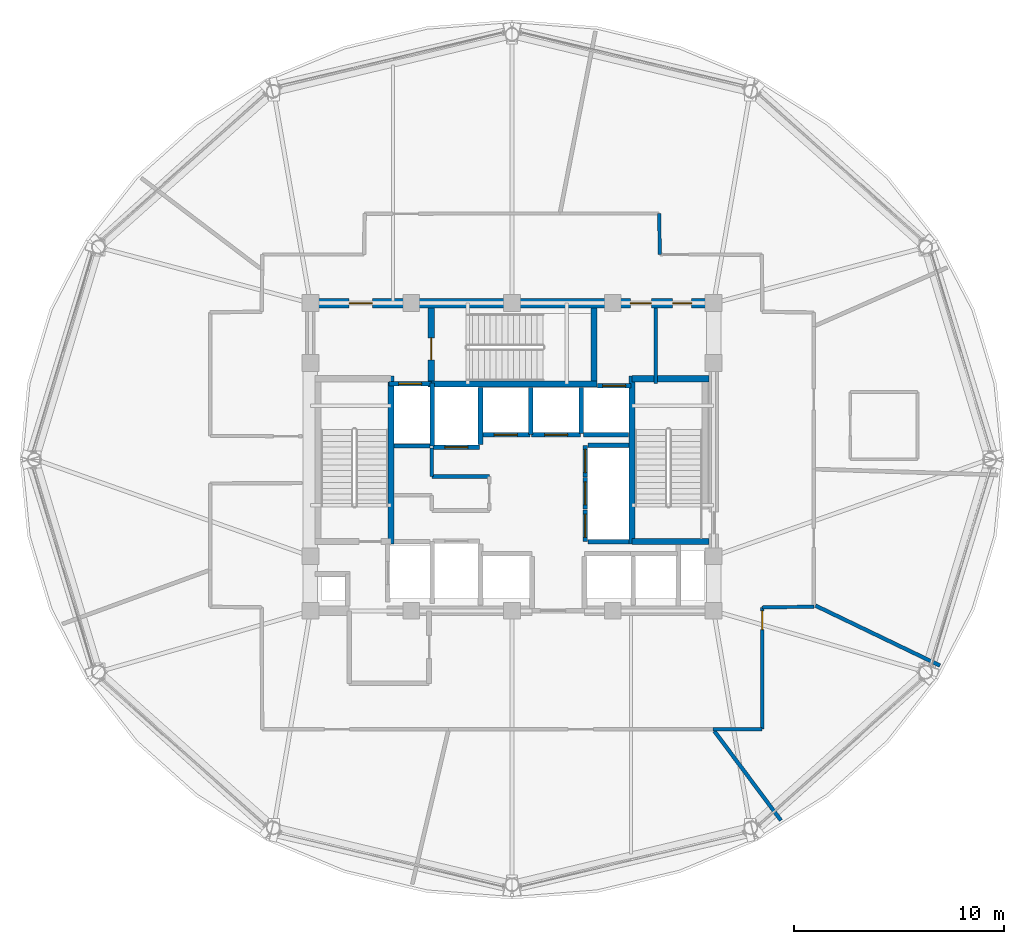
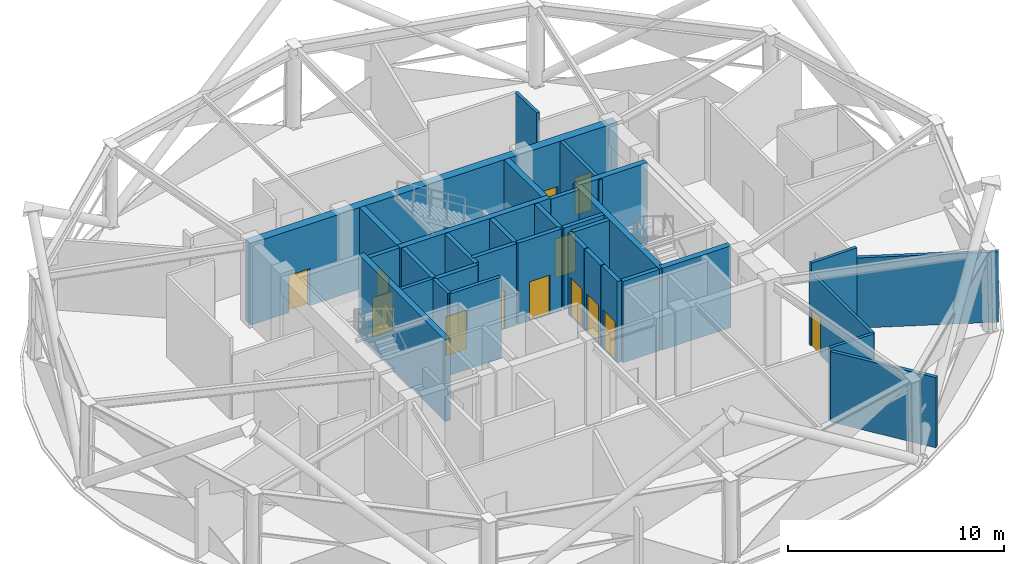
# One storey, part 11 of 16: 33 walls, 13 doors, 13 openings.
"""IFC4 building model written with IfcOpenShell, lengths in metres."""

from ifc_helpers import new_model, si_unit, direction, frame, frame_2d, origin, place, context, subcontext, project, spatial, rectangle, extrude, material, layer, layer_set, type_object, element, fill, save


model = new_model("IFC4")

# Units and contexts
model_context = context("Model", 3, precision=1e-05, world=origin(), true_north=direction((0.0, 1.0)))
body_context = subcontext(model_context, "Body", "Model", "MODEL_VIEW")
ifc_project = project(units=[si_unit("LENGTHUNIT", "METRE"), si_unit("AREAUNIT", "SQUARE_METRE"), si_unit("VOLUMEUNIT", "CUBIC_METRE"), si_unit("PLANEANGLEUNIT", "RADIAN"), si_unit("MASSUNIT", "GRAM", prefix="KILO")], contexts=[model_context])

# Site, building, storey
site_placement = place(None, origin())
site = spatial("IfcSite", under=ifc_project, at=site_placement, CompositionType="ELEMENT")
building_placement = place(site_placement, origin())
building = spatial("IfcBuilding", under=site, at=building_placement, Name="Vantalir Tower", CompositionType="ELEMENT")
storey_placement = place(building_placement, frame((0.0, 0.0, 181.35009765625)))
storey = spatial("IfcBuildingStorey", under=building, at=storey_placement, Name="L45", CompositionType="ELEMENT", Elevation=181.35009765625)

# Wall, openings, doors
ifc_material_1 = material(Name="Concrete C50/60", Category="concrete")
ifc_layer_1 = layer(ifc_material_1, 0.449951171875)
ifc_layer_set_1 = layer_set([ifc_layer_1], Name="Concrete C50/60")
wall_type_1 = type_object("IfcWallType", Name="WL-CORE-450", PredefinedType="SHEAR", material=ifc_layer_set_1)
wall_1_placement = place(storey_placement, frame((21.675048828125, 32.449951171875, 0.0), z_axis=(0.0, 0.0, 1.0), x_axis=(1.0, 0.0, 0.0)))
wall_1 = element("IfcWall", 1, at=wall_1_placement, inside=storey, type_object=wall_type_1, Name="L45 Core Shear Wall North", PredefinedType="SHEAR", context=body_context, shape_type="SweptSolid", body=[
    extrude(rectangle(XDim=19.64990234375, YDim=0.449951171875, at=frame_2d((9.824951171875, 0.0))), origin(), (0.0, 0.0, 1.0), 4.619873046875),
])
opening_1_placement = place(wall_1_placement, frame((2.074951171875, 0.0, 0.0)))
opening_1 = element("IfcOpeningElement", 2, at=opening_1_placement, cuts=wall_1, Name="Opening D-FFL", PredefinedType="OPENING", context=body_context, shape_type="SweptSolid", body=[
    extrude(rectangle(XDim=1.10009765625, YDim=2.10009765625, at=frame_2d((0.550048828125, 1.050048828125))), frame((0.0, 0.23486328125, 0.0), z_axis=(0.0, -1.0, 0.0), x_axis=(1.0, 0.0, 0.0)), (0.0, 0.0, 1.0), 0.469970703125),
])
opening_2_placement = place(wall_1_placement, frame((15.465087890625, 0.0, 0.0)))
opening_2 = element("IfcOpeningElement", 3, at=opening_2_placement, cuts=wall_1, Name="Opening D-GUEST", PredefinedType="OPENING", context=body_context, shape_type="SweptSolid", body=[
    extrude(rectangle(XDim=1.0, YDim=2.10009765625, at=frame_2d((0.5, 1.050048828125))), frame((0.0, 0.23486328125, 0.0), z_axis=(0.0, -1.0, 0.0), x_axis=(1.0, 0.0, 0.0)), (0.0, 0.0, 1.0), 0.469970703125),
])
opening_3_placement = place(wall_1_placement, frame((17.47509765625, 0.0, 0.0)))
opening_3 = element("IfcOpeningElement", 4, at=opening_3_placement, cuts=wall_1, Name="Opening D-CR", PredefinedType="OPENING", context=body_context, shape_type="SweptSolid", body=[
    extrude(rectangle(XDim=0.89990234375, YDim=2.10009765625, at=frame_2d((0.449951171875, 1.050048828125))), frame((0.0, 0.23486328125, 0.0), z_axis=(0.0, -1.0, 0.0), x_axis=(1.0, 0.0, 0.0)), (0.0, 0.0, 1.0), 0.469970703125),
])
ifc_material_2 = material(Name="Fire-rated steel core service door", Category="steel")
door_type_1 = type_object("IfcDoorType", Name="DR-CORE-SERV-900", OperationType="NOTDEFINED", PredefinedType="DOOR", material=ifc_material_2)
door_1_placement = place(opening_3_placement, frame((0.89990234375, 0.0, 0.0), z_axis=(0.0, 0.0, 1.0), x_axis=(-1.0, 0.0, 0.0)))
door_1 = element("IfcDoor", 5, at=door_1_placement, inside=storey, type_object=door_type_1, Name="L45 Housekeeping and Linen Room Door", OperationType="SINGLE_SWING_RIGHT", OverallHeight=2.10009765625, OverallWidth=0.89990234375, PredefinedType="DOOR", context=body_context, shape_type="SweptSolid", body=[
    extrude(rectangle(XDim=0.89990234375, YDim=2.10009765625, at=frame_2d((0.449951171875, 1.050048828125))), frame((0.0, 0.02490234375, 0.0), z_axis=(0.0, -1.0, 0.0), x_axis=(1.0, 0.0, 0.0)), (0.0, 0.0, 1.0), 0.050048828125),
])
fill(opening_3, door_1)
ifc_material_3 = material(Name="Fire-rated acoustic steel door", Category="steel")
door_type_2 = type_object("IfcDoorType", Name="DR-FIRE-LOBBY-1100", OperationType="NOTDEFINED", PredefinedType="DOOR", material=ifc_material_3)
door_2_placement = place(opening_1_placement, frame((1.10009765625, 0.0, 0.0), z_axis=(0.0, 0.0, 1.0), x_axis=(-1.0, 0.0, 0.0)))
door_2 = element("IfcDoor", 6, at=door_2_placement, inside=storey, type_object=door_type_2, Name="L45 Firefighting Lobby East Access Door", OperationType="SINGLE_SWING_LEFT", OverallHeight=2.10009765625, OverallWidth=1.10009765625, PredefinedType="DOOR", context=body_context, shape_type="SweptSolid", body=[
    extrude(rectangle(XDim=1.10009765625, YDim=2.10009765625, at=frame_2d((0.550048828125, 1.050048828125))), frame((0.0, 0.02490234375, 0.0), z_axis=(0.0, -1.0, 0.0), x_axis=(1.0, 0.0, 0.0)), (0.0, 0.0, 1.0), 0.050048828125),
])
fill(opening_1, door_2)
ifc_material_4 = material(Name="Solid-core teak veneer acoustic fire door", Category="wood")
door_type_3 = type_object("IfcDoorType", Name="DR-GUEST-ENTRY-1000", OperationType="NOTDEFINED", PredefinedType="DOOR", material=ifc_material_4)
door_3_placement = place(opening_2_placement, frame((1.0, 0.0, 0.0), z_axis=(0.0, 0.0, 1.0), x_axis=(-1.0, 0.0, 0.0)))
door_3 = element("IfcDoor", 7, at=door_3_placement, inside=storey, type_object=door_type_3, Name="L45 High-Rise Lift Lobby Door", OperationType="SINGLE_SWING_LEFT", OverallHeight=2.10009765625, OverallWidth=1.0, PredefinedType="DOOR", context=body_context, shape_type="SweptSolid", body=[
    extrude(rectangle(XDim=1.0, YDim=2.10009765625, at=frame_2d((0.5, 1.050048828125))), frame((0.0, 0.02490234375, 0.0), z_axis=(0.0, -1.0, 0.0), x_axis=(1.0, 0.0, 0.0)), (0.0, 0.0, 1.0), 0.050048828125),
])
fill(opening_2, door_3)

# Walls
ifc_material_5 = material(Name="Fire-rated hotel corridor acoustic partition", Category="gypsum")
ifc_layer_2 = layer(ifc_material_5, 0.159912109375)
ifc_layer_set_2 = layer_set([ifc_layer_2], Name="Fire-rated hotel corridor acoustic partition")
wall_type_2 = type_object("IfcWallType", Name="WL-CORR-160", PredefinedType="PARTITIONING", material=ifc_layer_set_2)
wall_2_placement = place(storey_placement, frame((38.50390625, 36.715087890625, 0.0), z_axis=(0.0, 0.0, 1.0), x_axis=(0.018524612405, -0.999828404645, 0.0)))
element("IfcWall", 8, at=wall_2_placement, inside=storey, type_object=wall_type_2, Name="L45 Corridor Partition 10", PredefinedType="PARTITIONING", context=body_context, shape_type="SweptSolid", body=[
    extrude(rectangle(XDim=1.950439453125, YDim=0.159912109375, at=frame_2d((0.97509765625, 0.0))), origin(), (0.0, 0.0, 1.0), 4.599853515625),
])
wall_3_placement = place(storey_placement, frame((45.875, 17.99609375, 0.0), z_axis=(0.0, 0.0, 1.0), x_axis=(-0.999892143369, -0.014686784162, 0.0)))
element("IfcWall", 9, at=wall_3_placement, inside=storey, type_object=wall_type_2, Name="L45 Corridor Partition 17", PredefinedType="PARTITIONING", context=body_context, shape_type="SweptSolid", body=[
    extrude(rectangle(XDim=2.460205078125, YDim=0.159912109375, at=frame_2d((1.22998046875, 0.0))), origin(), (0.0, 0.0, 1.0), 4.599853515625),
])

# Wall, opening, door
wall_4_placement = place(storey_placement, frame((43.4150390625, 17.9599609375, 0.0), z_axis=(0.0, 0.0, 1.0), x_axis=(-0.001222389915, -0.999999252881, 0.0)))
wall_4 = element("IfcWall", 10, at=wall_4_placement, inside=storey, type_object=wall_type_2, Name="L45 Corridor Partition 18", PredefinedType="PARTITIONING", context=body_context, shape_type="SweptSolid", body=[
    extrude(rectangle(XDim=5.7919921875, YDim=0.159912109375, at=frame_2d((2.89599609375, 0.0))), origin(), (0.0, 0.0, 1.0), 4.130859375),
])
opening_4_placement = place(wall_4_placement, frame((0.159912109375, 0.0, 0.0)))
opening_4 = element("IfcOpeningElement", 11, at=opening_4_placement, cuts=wall_4, Name="Opening D-WC", PredefinedType="OPENING", context=body_context, shape_type="SweptSolid", body=[
    extrude(rectangle(XDim=0.89990234375, YDim=2.10009765625, at=frame_2d((0.449951171875, 1.050048828125))), frame((0.0, 0.08984375, 0.0), z_axis=(0.0, -1.0, 0.0), x_axis=(1.0, 0.0, 0.0)), (0.0, 0.0, 1.0), 0.179931640625),
])
ifc_material_6 = material(Name="Moisture-resistant hardwood door", Category="wood")
door_type_4 = type_object("IfcDoorType", Name="DR-ENSUITE-900", OperationType="NOTDEFINED", PredefinedType="DOOR", material=ifc_material_6)
door_4_placement = place(opening_4_placement, origin())
door_4 = element("IfcDoor", 12, at=door_4_placement, inside=storey, type_object=door_type_4, Name="L45 Public Male WC Door", OperationType="SINGLE_SWING_LEFT", OverallHeight=2.10009765625, OverallWidth=0.89990234375, PredefinedType="DOOR", context=body_context, shape_type="SweptSolid", body=[
    extrude(rectangle(XDim=0.89990234375, YDim=2.10009765625, at=frame_2d((0.449951171875, 1.050048828125))), frame((0.0, 0.02490234375, 0.0), z_axis=(0.0, -1.0, 0.0), x_axis=(1.0, 0.0, 0.0)), (0.0, 0.0, 1.0), 0.050048828125),
])
fill(opening_4, door_4)

# Walls
wall_5_placement = place(storey_placement, frame((43.407958984375, 12.16796875, 0.0), z_axis=(0.0, 0.0, 1.0), x_axis=(-0.999999913213, -0.000416623232, 0.0)))
element("IfcWall", 13, at=wall_5_placement, inside=storey, type_object=wall_type_2, Name="L45 Corridor Partition 19", PredefinedType="PARTITIONING", context=body_context, shape_type="SweptSolid", body=[
    extrude(rectangle(XDim=2.343994140625, YDim=0.159912109375, at=frame_2d((1.171875, 0.0))), origin(), (0.0, 0.0, 1.0), 4.130859375),
])
ifc_material_7 = material(Name="Concrete blockwork with fireboard lining", Category="masonry")
ifc_layer_3 = layer(ifc_material_7, 0.219970703125)
ifc_layer_set_3 = layer_set([ifc_layer_3], Name="Concrete blockwork with fireboard lining")
wall_type_3 = type_object("IfcWallType", Name="WL-FFL-220", PredefinedType="PARTITIONING", material=ifc_layer_set_3)
wall_6_placement = place(storey_placement, frame((30.0, 25.7099609375, 0.0), z_axis=(0.0, 0.0, 1.0), x_axis=(0.0, 1.0, 0.0)))
element("IfcWall", 14, at=wall_6_placement, inside=storey, type_object=wall_type_3, Name="L45 Service Lift SV2 East Shaft Wall", PredefinedType="PARTITIONING", context=body_context, shape_type="SweptSolid", body=[
    extrude(rectangle(XDim=2.72998046875, YDim=0.219970703125, at=frame_2d((1.364990234375, 0.0))), origin(), (0.0, 0.0, 1.0), 4.594970703125),
])
wall_7_placement = place(storey_placement, frame((32.39990234375, 26.199951171875, 0.0), z_axis=(0.0, 0.0, 1.0), x_axis=(0.0, 1.0, 0.0)))
element("IfcWall", 15, at=wall_7_placement, inside=storey, type_object=wall_type_3, Name="L45 High-Rise Lift PL-H1/H2 Shaft Divider", PredefinedType="PARTITIONING", context=body_context, shape_type="SweptSolid", body=[
    extrude(rectangle(XDim=2.239990234375, YDim=0.219970703125, at=frame_2d((1.1201171875, 0.0))), origin(), (0.0, 0.0, 1.0), 4.594970703125),
])
wall_8_placement = place(storey_placement, frame((34.800048828125, 26.22998046875, 0.0), z_axis=(0.0, 0.0, 1.0), x_axis=(0.0, 1.0, 0.0)))
element("IfcWall", 16, at=wall_8_placement, inside=storey, type_object=wall_type_3, Name="L45 High-Rise Lift PL-H2/H3 Shaft Divider", PredefinedType="PARTITIONING", context=body_context, shape_type="SweptSolid", body=[
    extrude(rectangle(XDim=2.2099609375, YDim=0.219970703125, at=frame_2d((1.10498046875, 0.0))), origin(), (0.0, 0.0, 1.0), 4.594970703125),
])
wall_9_placement = place(storey_placement, frame((34.909912109375, 26.18994140625, 0.0), z_axis=(0.0, 0.0, 1.0), x_axis=(1.0, 0.0, 0.0)))
element("IfcWall", 17, at=wall_9_placement, inside=storey, type_object=wall_type_3, Name="L45 High-Rise Lift PL-H3 Rear Shaft Wall", PredefinedType="PARTITIONING", context=body_context, shape_type="SweptSolid", body=[
    extrude(rectangle(XDim=2.14013671875, YDim=0.219970703125, at=frame_2d((1.070068359375, 0.0))), origin(), (0.0, 0.0, 1.0), 4.594970703125),
])

# Wall, opening, door
wall_10_placement = place(storey_placement, frame((25.639892578125, 28.610107421875, 0.0), z_axis=(0.0, 0.0, 1.0), x_axis=(1.0, 0.0, 0.0)))
wall_10 = element("IfcWall", 18, at=wall_10_placement, inside=storey, type_object=wall_type_3, Name="L45 Lift FL2 Shaft Front Wall", PredefinedType="PARTITIONING", context=body_context, shape_type="SweptSolid", body=[
    extrude(rectangle(XDim=2.02001953125, YDim=0.219970703125, at=frame_2d((1.010009765625, 0.0))), origin(), (0.0, 0.0, 1.0), 4.599853515625),
])
opening_5_placement = place(wall_10_placement, frame((0.4599609375, 0.0, 0.0)))
opening_5 = element("IfcOpeningElement", 19, at=opening_5_placement, cuts=wall_10, Name="Opening LD-FL2", PredefinedType="OPENING", context=body_context, shape_type="SweptSolid", body=[
    extrude(rectangle(XDim=1.10009765625, YDim=2.199951171875, at=frame_2d((0.550048828125, 1.10009765625))), frame((0.0, 0.119873046875, 0.0), z_axis=(0.0, -1.0, 0.0), x_axis=(1.0, 0.0, 0.0)), (0.0, 0.0, 1.0), 0.239990234375),
])
ifc_material_8 = material(Name="Brushed stainless-steel sliding lift landing door", Category="steel")
door_type_5 = type_object("IfcDoorType", Name="DR-LIFT-LANDING-1100", OperationType="DOUBLE_DOOR_SLIDING", PredefinedType="DOOR", material=ifc_material_8)
door_5_placement = place(opening_5_placement, origin())
door_5 = element("IfcDoor", 20, at=door_5_placement, inside=storey, type_object=door_type_5, Name="L45 Lift Landing Door FL2", OperationType="DOUBLE_DOOR_SLIDING", OverallHeight=2.199951171875, OverallWidth=1.10009765625, PredefinedType="DOOR", context=body_context, shape_type="SweptSolid", body=[
    extrude(rectangle(XDim=1.10009765625, YDim=2.199951171875, at=frame_2d((0.550048828125, 1.10009765625))), frame((0.0, 0.02490234375, 0.0), z_axis=(0.0, -1.0, 0.0), x_axis=(1.0, 0.0, 0.0)), (0.0, 0.0, 1.0), 0.050048828125),
])
fill(opening_5, door_5)

wall_11_placement = place(storey_placement, frame((27.739990234375, 25.590087890625, 0.0), z_axis=(0.0, 0.0, 1.0), x_axis=(1.0, 0.0, 0.0)))
wall_11 = element("IfcWall", 21, at=wall_11_placement, inside=storey, type_object=wall_type_3, Name="L45 Lift SV2 Shaft Front Wall", PredefinedType="PARTITIONING", context=body_context, shape_type="SweptSolid", body=[
    extrude(rectangle(XDim=2.219970703125, YDim=0.219970703125, at=frame_2d((1.10986328125, 0.0))), origin(), (0.0, 0.0, 1.0), 4.599853515625),
])
opening_6_placement = place(wall_11_placement, frame((0.56005859375, 0.0, 0.0)))
opening_6 = element("IfcOpeningElement", 22, at=opening_6_placement, cuts=wall_11, Name="Opening LD-SV2", PredefinedType="OPENING", context=body_context, shape_type="SweptSolid", body=[
    extrude(rectangle(XDim=1.10009765625, YDim=2.199951171875, at=frame_2d((0.550048828125, 1.10009765625))), frame((0.0, 0.119873046875, 0.0), z_axis=(0.0, -1.0, 0.0), x_axis=(1.0, 0.0, 0.0)), (0.0, 0.0, 1.0), 0.239990234375),
])
door_6_placement = place(opening_6_placement, frame((1.10009765625, 0.0, 0.0), z_axis=(0.0, 0.0, 1.0), x_axis=(-1.0, 0.0, 0.0)))
door_6 = element("IfcDoor", 23, at=door_6_placement, inside=storey, type_object=door_type_5, Name="L45 Lift Landing Door SV2", OperationType="DOUBLE_DOOR_SLIDING", OverallHeight=2.199951171875, OverallWidth=1.10009765625, PredefinedType="DOOR", context=body_context, shape_type="SweptSolid", body=[
    extrude(rectangle(XDim=1.10009765625, YDim=2.199951171875, at=frame_2d((0.550048828125, 1.10009765625))), frame((0.0, 0.02490234375, 0.0), z_axis=(0.0, -1.0, 0.0), x_axis=(1.0, 0.0, 0.0)), (0.0, 0.0, 1.0), 0.050048828125),
])
fill(opening_6, door_6)

wall_12_placement = place(storey_placement, frame((30.0400390625, 26.18994140625, 0.0), z_axis=(0.0, 0.0, 1.0), x_axis=(1.0, 0.0, 0.0)))
wall_12 = element("IfcWall", 24, at=wall_12_placement, inside=storey, type_object=wall_type_3, Name="L45 Lift PL-H1 Shaft Front Wall", PredefinedType="PARTITIONING", context=body_context, shape_type="SweptSolid", body=[
    extrude(rectangle(XDim=2.320068359375, YDim=0.219970703125, at=frame_2d((1.16015625, 0.0))), origin(), (0.0, 0.0, 1.0), 4.599853515625),
])
opening_7_placement = place(wall_12_placement, frame((0.610107421875, 0.0, 0.0)))
opening_7 = element("IfcOpeningElement", 25, at=opening_7_placement, cuts=wall_12, Name="Opening LD-PL-H1", PredefinedType="OPENING", context=body_context, shape_type="SweptSolid", body=[
    extrude(rectangle(XDim=1.10009765625, YDim=2.199951171875, at=frame_2d((0.550048828125, 1.10009765625))), frame((0.0, 0.119873046875, 0.0), z_axis=(0.0, -1.0, 0.0), x_axis=(1.0, 0.0, 0.0)), (0.0, 0.0, 1.0), 0.239990234375),
])
door_7_placement = place(opening_7_placement, frame((1.10009765625, 0.0, 0.0), z_axis=(0.0, 0.0, 1.0), x_axis=(-1.0, 0.0, 0.0)))
door_7 = element("IfcDoor", 26, at=door_7_placement, inside=storey, type_object=door_type_5, Name="L45 Lift Landing Door PL-H1", OperationType="DOUBLE_DOOR_SLIDING", OverallHeight=2.199951171875, OverallWidth=1.10009765625, PredefinedType="DOOR", context=body_context, shape_type="SweptSolid", body=[
    extrude(rectangle(XDim=1.10009765625, YDim=2.199951171875, at=frame_2d((0.550048828125, 1.10009765625))), frame((0.0, 0.02490234375, 0.0), z_axis=(0.0, -1.0, 0.0), x_axis=(1.0, 0.0, 0.0)), (0.0, 0.0, 1.0), 0.050048828125),
])
fill(opening_7, door_7)

wall_13_placement = place(storey_placement, frame((32.43994140625, 26.18994140625, 0.0), z_axis=(0.0, 0.0, 1.0), x_axis=(1.0, 0.0, 0.0)))
wall_13 = element("IfcWall", 27, at=wall_13_placement, inside=storey, type_object=wall_type_3, Name="L45 Lift PL-H2 Shaft Front Wall", PredefinedType="PARTITIONING", context=body_context, shape_type="SweptSolid", body=[
    extrude(rectangle(XDim=2.320068359375, YDim=0.219970703125, at=frame_2d((1.16015625, 0.0))), origin(), (0.0, 0.0, 1.0), 4.599853515625),
])
opening_8_placement = place(wall_13_placement, frame((0.610107421875, 0.0, 0.0)))
opening_8 = element("IfcOpeningElement", 28, at=opening_8_placement, cuts=wall_13, Name="Opening LD-PL-H2", PredefinedType="OPENING", context=body_context, shape_type="SweptSolid", body=[
    extrude(rectangle(XDim=1.10009765625, YDim=2.199951171875, at=frame_2d((0.550048828125, 1.10009765625))), frame((0.0, 0.119873046875, 0.0), z_axis=(0.0, -1.0, 0.0), x_axis=(1.0, 0.0, 0.0)), (0.0, 0.0, 1.0), 0.239990234375),
])
door_8_placement = place(opening_8_placement, frame((1.10009765625, 0.0, 0.0), z_axis=(0.0, 0.0, 1.0), x_axis=(-1.0, 0.0, 0.0)))
door_8 = element("IfcDoor", 29, at=door_8_placement, inside=storey, type_object=door_type_5, Name="L45 Lift Landing Door PL-H2", OperationType="DOUBLE_DOOR_SLIDING", OverallHeight=2.199951171875, OverallWidth=1.10009765625, PredefinedType="DOOR", context=body_context, shape_type="SweptSolid", body=[
    extrude(rectangle(XDim=1.10009765625, YDim=2.199951171875, at=frame_2d((0.550048828125, 1.10009765625))), frame((0.0, 0.02490234375, 0.0), z_axis=(0.0, -1.0, 0.0), x_axis=(1.0, 0.0, 0.0)), (0.0, 0.0, 1.0), 0.050048828125),
])
fill(opening_8, door_8)

wall_14_placement = place(storey_placement, frame((35.56005859375, 28.510009765625, 0.0), z_axis=(0.0, 0.0, 1.0), x_axis=(1.0, 0.0, 0.0)))
wall_14 = element("IfcWall", 30, at=wall_14_placement, inside=storey, type_object=wall_type_3, Name="L45 Lift PL-H3 Shaft Front Wall", PredefinedType="PARTITIONING", context=body_context, shape_type="SweptSolid", body=[
    extrude(rectangle(XDim=1.599853515625, YDim=0.219970703125, at=frame_2d((0.7998046875, 0.0))), origin(), (0.0, 0.0, 1.0), 4.599853515625),
])
opening_9_placement = place(wall_14_placement, frame((0.25, 0.0, 0.0)))
opening_9 = element("IfcOpeningElement", 31, at=opening_9_placement, cuts=wall_14, Name="Opening LD-PL-H3", PredefinedType="OPENING", context=body_context, shape_type="SweptSolid", body=[
    extrude(rectangle(XDim=1.10009765625, YDim=2.199951171875, at=frame_2d((0.550048828125, 1.10009765625))), frame((0.0, 0.119873046875, 0.0), z_axis=(0.0, -1.0, 0.0), x_axis=(1.0, 0.0, 0.0)), (0.0, 0.0, 1.0), 0.239990234375),
])
door_9_placement = place(opening_9_placement, origin())
door_9 = element("IfcDoor", 32, at=door_9_placement, inside=storey, type_object=door_type_5, Name="L45 Lift Landing Door PL-H3", OperationType="DOUBLE_DOOR_SLIDING", OverallHeight=2.199951171875, OverallWidth=1.10009765625, PredefinedType="DOOR", context=body_context, shape_type="SweptSolid", body=[
    extrude(rectangle(XDim=1.10009765625, YDim=2.199951171875, at=frame_2d((0.550048828125, 1.10009765625))), frame((0.0, 0.02490234375, 0.0), z_axis=(0.0, -1.0, 0.0), x_axis=(1.0, 0.0, 0.0)), (0.0, 0.0, 1.0), 0.050048828125),
])
fill(opening_9, door_9)

wall_15_placement = place(storey_placement, frame((34.989990234375, 21.10009765625, 0.0), z_axis=(0.0, 0.0, 1.0), x_axis=(0.0, 1.0, 0.0)))
wall_15 = element("IfcWall", 33, at=wall_15_placement, inside=storey, type_object=wall_type_3, Name="L45 Lift PL-M1 Shaft Front Wall", PredefinedType="PARTITIONING", context=body_context, shape_type="SweptSolid", body=[
    extrude(rectangle(XDim=1.5, YDim=0.219970703125, at=frame_2d((0.75, 0.0))), origin(), (0.0, 0.0, 1.0), 4.599853515625),
])
opening_10_placement = place(wall_15_placement, frame((0.199951171875, 0.0, 0.0)))
opening_10 = element("IfcOpeningElement", 34, at=opening_10_placement, cuts=wall_15, Name="Opening LD-PL-M1", PredefinedType="OPENING", context=body_context, shape_type="SweptSolid", body=[
    extrude(rectangle(XDim=1.10009765625, YDim=2.199951171875, at=frame_2d((0.550048828125, 1.10009765625))), frame((0.0, 0.119873046875, 0.0), z_axis=(0.0, -1.0, 0.0), x_axis=(1.0, 0.0, 0.0)), (0.0, 0.0, 1.0), 0.239990234375),
])
door_10_placement = place(opening_10_placement, origin())
door_10 = element("IfcDoor", 35, at=door_10_placement, inside=storey, type_object=door_type_5, Name="L45 Lift Landing Door PL-M1", OperationType="DOUBLE_DOOR_SLIDING", OverallHeight=2.199951171875, OverallWidth=1.10009765625, PredefinedType="DOOR", context=body_context, shape_type="SweptSolid", body=[
    extrude(rectangle(XDim=1.10009765625, YDim=2.199951171875, at=frame_2d((0.550048828125, 1.10009765625))), frame((0.0, 0.02490234375, 0.0), z_axis=(0.0, -1.0, 0.0), x_axis=(1.0, 0.0, 0.0)), (0.0, 0.0, 1.0), 0.050048828125),
])
fill(opening_10, door_10)

wall_16_placement = place(storey_placement, frame((34.989990234375, 22.639892578125, 0.0), z_axis=(0.0, 0.0, 1.0), x_axis=(0.0, 1.0, 0.0)))
wall_16 = element("IfcWall", 36, at=wall_16_placement, inside=storey, type_object=wall_type_3, Name="L45 Lift PL-M2 Shaft Front Wall", PredefinedType="PARTITIONING", context=body_context, shape_type="SweptSolid", body=[
    extrude(rectangle(XDim=1.5, YDim=0.219970703125, at=frame_2d((0.75, 0.0))), origin(), (0.0, 0.0, 1.0), 4.599853515625),
])
opening_11_placement = place(wall_16_placement, frame((0.199951171875, 0.0, 0.0)))
opening_11 = element("IfcOpeningElement", 37, at=opening_11_placement, cuts=wall_16, Name="Opening LD-PL-M2", PredefinedType="OPENING", context=body_context, shape_type="SweptSolid", body=[
    extrude(rectangle(XDim=1.10009765625, YDim=2.199951171875, at=frame_2d((0.550048828125, 1.10009765625))), frame((0.0, 0.119873046875, 0.0), z_axis=(0.0, -1.0, 0.0), x_axis=(1.0, 0.0, 0.0)), (0.0, 0.0, 1.0), 0.239990234375),
])
door_11_placement = place(opening_11_placement, origin())
door_11 = element("IfcDoor", 38, at=door_11_placement, inside=storey, type_object=door_type_5, Name="L45 Lift Landing Door PL-M2", OperationType="DOUBLE_DOOR_SLIDING", OverallHeight=2.199951171875, OverallWidth=1.10009765625, PredefinedType="DOOR", context=body_context, shape_type="SweptSolid", body=[
    extrude(rectangle(XDim=1.10009765625, YDim=2.199951171875, at=frame_2d((0.550048828125, 1.10009765625))), frame((0.0, 0.02490234375, 0.0), z_axis=(0.0, -1.0, 0.0), x_axis=(1.0, 0.0, 0.0)), (0.0, 0.0, 1.0), 0.050048828125),
])
fill(opening_11, door_11)

wall_17_placement = place(storey_placement, frame((34.989990234375, 24.179931640625, 0.0), z_axis=(0.0, 0.0, 1.0), x_axis=(0.0, 1.0, 0.0)))
wall_17 = element("IfcWall", 39, at=wall_17_placement, inside=storey, type_object=wall_type_3, Name="L45 Lift PL-M3 Shaft Front Wall", PredefinedType="PARTITIONING", context=body_context, shape_type="SweptSolid", body=[
    extrude(rectangle(XDim=1.5, YDim=0.219970703125, at=frame_2d((0.75, 0.0))), origin(), (0.0, 0.0, 1.0), 4.599853515625),
])
opening_12_placement = place(wall_17_placement, frame((0.199951171875, 0.0, 0.0)))
opening_12 = element("IfcOpeningElement", 40, at=opening_12_placement, cuts=wall_17, Name="Opening LD-PL-M3", PredefinedType="OPENING", context=body_context, shape_type="SweptSolid", body=[
    extrude(rectangle(XDim=1.10009765625, YDim=2.199951171875, at=frame_2d((0.550048828125, 1.10009765625))), frame((0.0, 0.119873046875, 0.0), z_axis=(0.0, -1.0, 0.0), x_axis=(1.0, 0.0, 0.0)), (0.0, 0.0, 1.0), 0.239990234375),
])
door_12_placement = place(opening_12_placement, origin())
door_12 = element("IfcDoor", 41, at=door_12_placement, inside=storey, type_object=door_type_5, Name="L45 Lift Landing Door PL-M3", OperationType="DOUBLE_DOOR_SLIDING", OverallHeight=2.199951171875, OverallWidth=1.10009765625, PredefinedType="DOOR", context=body_context, shape_type="SweptSolid", body=[
    extrude(rectangle(XDim=1.10009765625, YDim=2.199951171875, at=frame_2d((0.550048828125, 1.10009765625))), frame((0.0, 0.02490234375, 0.0), z_axis=(0.0, -1.0, 0.0), x_axis=(1.0, 0.0, 0.0)), (0.0, 0.0, 1.0), 0.050048828125),
])
fill(opening_12, door_12)

# Walls
wall_18_placement = place(storey_placement, frame((27.699951171875, 25.64990234375, 0.0), z_axis=(0.0, 0.0, 1.0), x_axis=(0.0, 1.0, 0.0)))
element("IfcWall", 42, at=wall_18_placement, inside=storey, type_object=wall_type_3, Name="L45 Fire Lift FL2 Dividing Wall", PredefinedType="PARTITIONING", context=body_context, shape_type="SweptSolid", body=[
    extrude(rectangle(XDim=3.0, YDim=0.219970703125, at=frame_2d((1.5, 0.0))), origin(), (0.0, 0.0, 1.0), 4.599853515625),
])
for number, where, z_axis, x_axis, name in (
    (43, (35.1201171875, 21.080078125, 0.0), (0.0, 0.0, 1.0), (1.0, 0.0, 0.0), "L45 Mid-Rise Bank South Wall"),
    (44, (35.1201171875, 25.679931640625, 0.0), (0.0, 0.0, 1.0), (1.0, 0.0, 0.0), "L45 Mid-Rise Bank North Wall"),
):
    element("IfcWall", number, at=place(storey_placement, frame(where, z_axis=z_axis, x_axis=x_axis)), inside=storey, type_object=wall_type_3, Name=name, PredefinedType="PARTITIONING", context=body_context, shape_type="SweptSolid", body=[
        extrude(rectangle(XDim=1.93994140625, YDim=0.219970703125, at=frame_2d((0.969970703125, 0.0))), origin(), (0.0, 0.0, 1.0), 4.599853515625),
    ])
ifc_material_9 = material(Name="Twin-stud acoustic fire-rated gypsum partition", Category="gypsum")
ifc_layer_4 = layer(ifc_material_9, 0.179931640625)
ifc_layer_set_4 = layer_set([ifc_layer_4], Name="Twin-stud acoustic fire-rated gypsum partition")
wall_type_4 = type_object("IfcWallType", Name="WL-GUEST-180", PredefinedType="PARTITIONING", material=ifc_layer_set_4)
wall_19_placement = place(storey_placement, frame((25.889892578125, 25.64990234375, 0.0), z_axis=(0.0, 0.0, 1.0), x_axis=(1.0, 0.0, 0.0)))
element("IfcWall", 45, at=wall_19_placement, inside=storey, type_object=wall_type_4, Name="L45 Freed West Core North Wall", PredefinedType="PARTITIONING", context=body_context, shape_type="SweptSolid", body=[
    extrude(rectangle(XDim=1.7001953125, YDim=0.179931640625, at=frame_2d((0.85009765625, 0.0))), origin(), (0.0, 0.0, 1.0), 4.599853515625),
])
wall_20_placement = place(storey_placement, frame((27.679931640625, 24.199951171875, 0.0), z_axis=(0.0, 0.0, 1.0), x_axis=(1.0, 0.0, 0.0)))
element("IfcWall", 46, at=wall_20_placement, inside=storey, type_object=wall_type_4, Name="L45 West Linen Alcove North Wall", PredefinedType="PARTITIONING", context=body_context, shape_type="SweptSolid", body=[
    extrude(rectangle(XDim=2.739990234375, YDim=0.179931640625, at=frame_2d((1.3701171875, 0.0))), origin(), (0.0, 0.0, 1.0), 4.599853515625),
])
wall_21_placement = place(storey_placement, frame((27.679931640625, 24.199951171875, 0.0), z_axis=(0.0, 0.0, 1.0), x_axis=(0.0, 1.0, 0.0)))
element("IfcWall", 47, at=wall_21_placement, inside=storey, type_object=wall_type_4, Name="L45 West Linen Upper East Wall", PredefinedType="PARTITIONING", context=body_context, shape_type="SweptSolid", body=[
    extrude(rectangle(XDim=1.360107421875, YDim=0.179931640625, at=frame_2d((0.68017578125, 0.0))), origin(), (0.0, 0.0, 1.0), 4.599853515625),
])
wall_22_placement = place(storey_placement, frame((38.340087890625, 28.6201171875, 0.0), z_axis=(0.0, 0.0, 1.0), x_axis=(0.0, 1.0, 0.0)))
element("IfcWall", 48, at=wall_22_placement, inside=storey, type_object=wall_type_4, Name="L45 High-Rise Lift Lobby East Wall", PredefinedType="PARTITIONING", context=body_context, shape_type="SweptSolid", body=[
    extrude(rectangle(XDim=3.60498046875, YDim=0.179931640625, at=frame_2d((1.802490234375, 0.0))), origin(), (0.0, 0.0, 1.0), 4.599853515625),
])
wall_23_placement = place(storey_placement, frame((41.133056640625, 12.074951171875, 0.0), z_axis=(0.0, 0.0, 1.0), x_axis=(0.59752309806, -0.80185169906, 0.0)))
element("IfcWall", 49, at=wall_23_placement, inside=storey, type_object=wall_type_4, Name="L45 Radial Suite Partition 06", PredefinedType="PARTITIONING", context=body_context, shape_type="SweptSolid", body=[
    extrude(rectangle(XDim=5.30517578125, YDim=0.179931640625, at=frame_2d((2.652587890625, 0.0))), origin(), (0.0, 0.0, 1.0), 3.974853515625),
])
wall_24_placement = place(storey_placement, frame((45.949951171875, 18.0458984375, 0.0), z_axis=(0.0, 0.0, 1.0), x_axis=(0.90111662988, -0.433576774463, 0.0)))
element("IfcWall", 50, at=wall_24_placement, inside=storey, type_object=wall_type_4, Name="L45 Radial Suite Partition 07", PredefinedType="PARTITIONING", context=body_context, shape_type="SweptSolid", body=[
    extrude(rectangle(XDim=6.577392578125, YDim=0.179931640625, at=frame_2d((3.28857421875, 0.0))), origin(), (0.0, 0.0, 1.0), 3.974853515625),
])
ifc_layer_5 = layer(ifc_material_1, 0.300048828125)
ifc_layer_set_5 = layer_set([ifc_layer_5], Name="Concrete C50/60")
wall_type_5 = type_object("IfcWallType", Name="WL-STAIR-300", PredefinedType="SHEAR", material=ifc_layer_set_5)
wall_25_placement = place(storey_placement, frame((25.739990234375, 20.97998046875, 0.0), z_axis=(0.0, 0.0, 1.0), x_axis=(0.0, 1.0, 0.0)))
element("IfcWall", 51, at=wall_25_placement, inside=storey, type_object=wall_type_5, Name="L45 Stair ST1 East Wall", PredefinedType="SHEAR", context=body_context, shape_type="SweptSolid", body=[
    extrude(rectangle(XDim=7.989990234375, YDim=0.300048828125, at=frame_2d((3.9951171875, 0.0))), origin(), (0.0, 0.0, 1.0), 4.619873046875),
])
for number, where, z_axis, x_axis, name in (
    (52, (37.2099609375, 21.10009765625, 0.0), (0.0, 0.0, 1.0), (1.0, 0.0, 0.0), "L45 Stair ST2 South Wall"),
    (53, (37.2099609375, 28.85009765625, 0.0), (0.0, 0.0, 1.0), (1.0, 0.0, 0.0), "L45 Stair ST2 North Wall"),
):
    element("IfcWall", number, at=place(storey_placement, frame(where, z_axis=z_axis, x_axis=x_axis)), inside=storey, type_object=wall_type_5, Name=name, PredefinedType="SHEAR", context=body_context, shape_type="SweptSolid", body=[
        extrude(rectangle(XDim=3.6650390625, YDim=0.300048828125, at=frame_2d((1.83251953125, 0.0))), origin(), (0.0, 0.0, 1.0), 4.619873046875),
    ])
wall_26_placement = place(storey_placement, frame((37.2099609375, 20.97998046875, 0.0), z_axis=(0.0, 0.0, 1.0), x_axis=(0.0, 1.0, 0.0)))
element("IfcWall", 54, at=wall_26_placement, inside=storey, type_object=wall_type_5, Name="L45 Stair ST2 West Wall", PredefinedType="SHEAR", context=body_context, shape_type="SweptSolid", body=[
    extrude(rectangle(XDim=7.989990234375, YDim=0.300048828125, at=frame_2d((3.9951171875, 0.0))), origin(), (0.0, 0.0, 1.0), 4.619873046875),
])
wall_27_placement = place(storey_placement, frame((27.510009765625, 28.60009765625, 0.0), z_axis=(0.0, 0.0, 1.0), x_axis=(1.0, 0.0, 0.0)))
element("IfcWall", 55, at=wall_27_placement, inside=storey, type_object=wall_type_5, Name="L45 Stair ST3 South Wall", PredefinedType="SHEAR", context=body_context, shape_type="SweptSolid", body=[
    extrude(rectangle(XDim=8.030029296875, YDim=0.300048828125, at=frame_2d((4.01513671875, 0.0))), origin(), (0.0, 0.0, 1.0), 4.619873046875),
])

# Wall, opening, door
wall_28_placement = place(storey_placement, frame((27.64990234375, 28.75, 0.0), z_axis=(0.0, 0.0, 1.0), x_axis=(0.0, 1.0, 0.0)))
wall_28 = element("IfcWall", 56, at=wall_28_placement, inside=storey, type_object=wall_type_5, Name="L45 Stair ST3 West Wall", PredefinedType="SHEAR", context=body_context, shape_type="SweptSolid", body=[
    extrude(rectangle(XDim=3.47509765625, YDim=0.300048828125, at=frame_2d((1.737548828125, 0.0))), origin(), (0.0, 0.0, 1.0), 4.619873046875),
])
opening_13_placement = place(wall_28_placement, frame((1.0, 0.0, 0.0)))
opening_13 = element("IfcOpeningElement", 57, at=opening_13_placement, cuts=wall_28, Name="Opening D-ST", PredefinedType="OPENING", context=body_context, shape_type="SweptSolid", body=[
    extrude(rectangle(XDim=1.050048828125, YDim=2.10009765625, at=frame_2d((0.52490234375, 1.050048828125))), frame((0.0, 0.159912109375, 0.0), z_axis=(0.0, -1.0, 0.0), x_axis=(1.0, 0.0, 0.0)), (0.0, 0.0, 1.0), 0.320068359375),
])
ifc_material_10 = material(Name="Fire-rated steel door leaf", Category="steel")
door_type_6 = type_object("IfcDoorType", Name="DR-FIRE-STAIR-1050", OperationType="NOTDEFINED", PredefinedType="DOOR", material=ifc_material_10)
door_13_placement = place(opening_13_placement, frame((1.050048828125, 0.0, 0.0), z_axis=(0.0, 0.0, 1.0), x_axis=(-1.0, 0.0, 0.0)))
door_13 = element("IfcDoor", 58, at=door_13_placement, inside=storey, type_object=door_type_6, Name="L45 Exit Stair ST3 Fire Door", OperationType="SINGLE_SWING_RIGHT", OverallHeight=2.10009765625, OverallWidth=1.050048828125, PredefinedType="DOOR", context=body_context, shape_type="SweptSolid", body=[
    extrude(rectangle(XDim=1.050048828125, YDim=2.10009765625, at=frame_2d((0.52490234375, 1.050048828125))), frame((0.0, 0.02490234375, 0.0), z_axis=(0.0, -1.0, 0.0), x_axis=(1.0, 0.0, 0.0)), (0.0, 0.0, 1.0), 0.050048828125),
])
fill(opening_13, door_13)

# Wall
wall_29_placement = place(storey_placement, frame((35.39990234375, 28.75, 0.0), z_axis=(0.0, 0.0, 1.0), x_axis=(0.0, 1.0, 0.0)))
element("IfcWall", 59, at=wall_29_placement, inside=storey, type_object=wall_type_5, Name="L45 Stair ST3 East Wall", PredefinedType="SHEAR", context=body_context, shape_type="SweptSolid", body=[
    extrude(rectangle(XDim=3.47509765625, YDim=0.300048828125, at=frame_2d((1.737548828125, 0.0))), origin(), (0.0, 0.0, 1.0), 4.619873046875),
])

save(model, "model.ifc")
